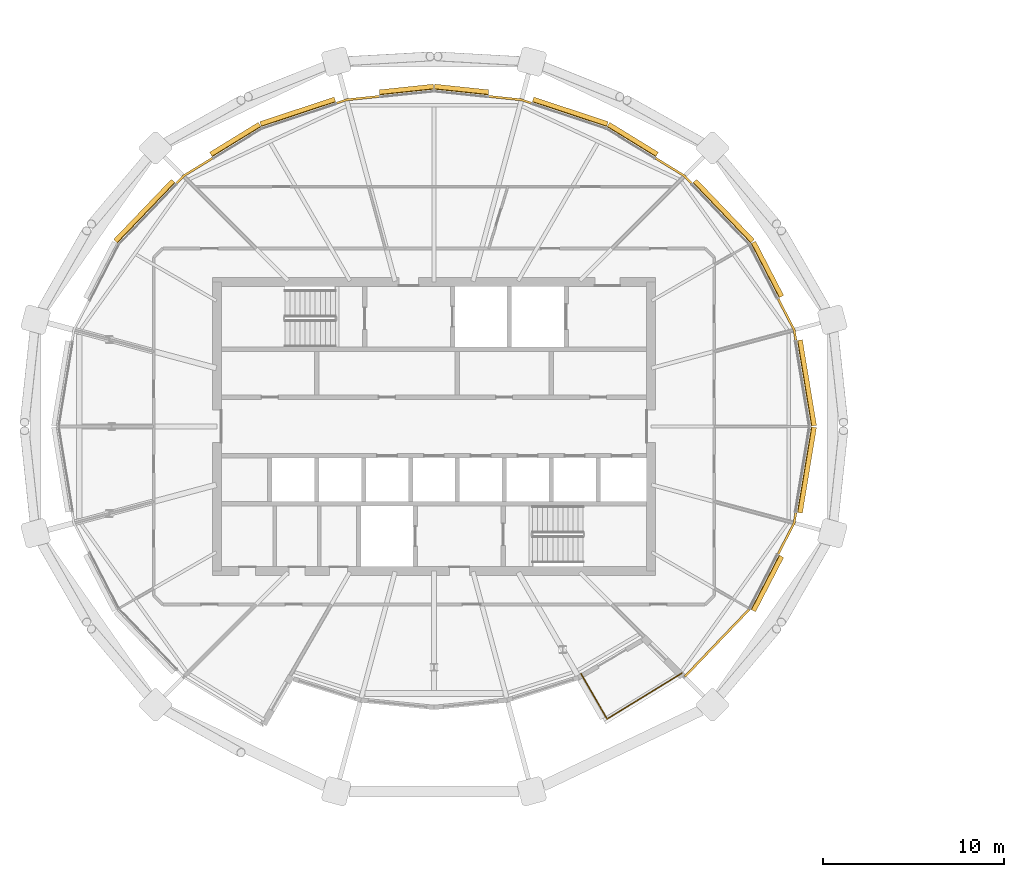
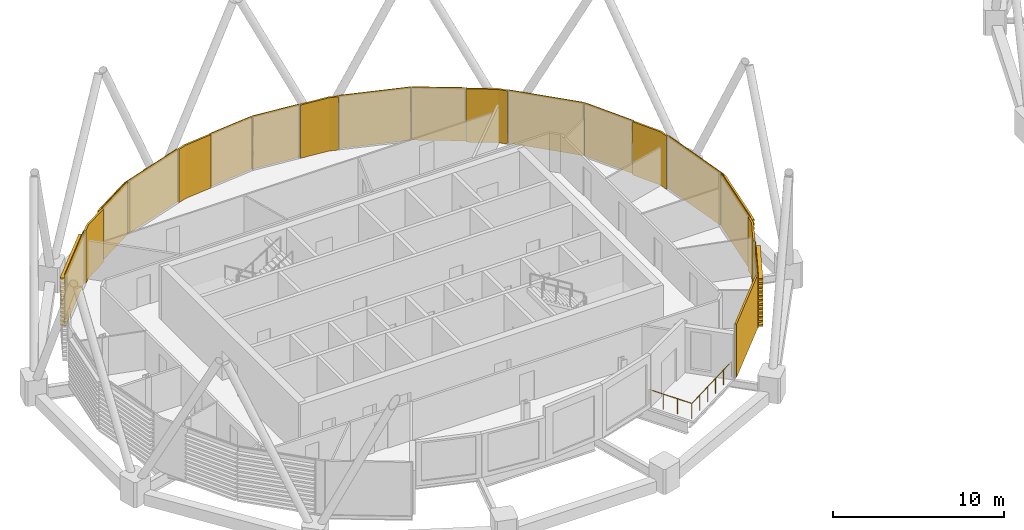
# One storey, part 30 of 34: 19 coverings, 1 railing.
"""IFC4 building model written with IfcOpenShell, lengths in metres."""

from ifc_helpers import new_model, si_unit, direction, frame, origin, origin_2d, place, context, subcontext, project, spatial, polyline, circle, outline, extrude, material, layer, layer_set, material_profile, profile_set, type_object, element, save


model = new_model("IFC4")

# Units and contexts
model_context = context("Model", 3, precision=1e-05, world=origin(), true_north=direction((0.0, 1.0)))
body_context = subcontext(model_context, "Body", "Model", "MODEL_VIEW")
ifc_project = project(units=[si_unit("LENGTHUNIT", "METRE"), si_unit("AREAUNIT", "SQUARE_METRE"), si_unit("VOLUMEUNIT", "CUBIC_METRE"), si_unit("PLANEANGLEUNIT", "RADIAN"), si_unit("MASSUNIT", "GRAM", prefix="KILO")], contexts=[model_context])

# Site, building, storey
site_placement = place(None, origin())
site = spatial("IfcSite", under=ifc_project, at=site_placement, CompositionType="ELEMENT")
building_placement = place(site_placement, origin())
building = spatial("IfcBuilding", under=site, at=building_placement, Name="Rimbun Link Towers", CompositionType="ELEMENT")
storey_placement = place(building_placement, frame((0.0, 0.0, 221.89990234375)))
storey = spatial("IfcBuildingStorey", under=building, at=storey_placement, Name="L54", CompositionType="ELEMENT", Elevation=221.89990234375)

# Railing
ifc_material_1 = material(Name="Stainless steel grade 316", Category="steel")
railing_type = type_object("IfcRailingType", Name="GUARD stainless rail and posts", PredefinedType="GUARDRAIL", material=ifc_material_1)
railing_placement = place(storey_placement, frame((-23.62255859375, -13.677001953125, 0.0)))
element("IfcRailing", 1, at=railing_placement, inside=storey, type_object=railing_type, Name="GUARD", PredefinedType="GUARDRAIL", context=body_context, shape_type="SweptSolid", body=[
    extrude(circle(Radius=0.02392578125, at=origin_2d()), frame((0.0, 0.0, 1.076171875), z_axis=(0.499985288567, -0.866033897268, 0.0), x_axis=(0.866033897268, 0.499985288567, 0.0)), (0.0, 0.0, 1.0), 2.89453125),
    extrude(circle(Radius=0.02392578125, at=origin_2d()), frame((1.447265625, -2.5068359375, 1.076171875), z_axis=(0.852188147699, 0.523235473684, 0.0), x_axis=(-0.523235473684, 0.852188147699, 0.0)), (0.0, 0.0, 1.0), 4.85302734375),
    extrude(circle(Radius=0.02099609375, at=origin_2d()), origin(), (0.0, 0.0, 1.0), 1.052001953125),
    extrude(circle(Radius=0.02099609375, at=origin_2d()), frame((0.482421875, -0.835693359375, 0.0)), (0.0, 0.0, 1.0), 1.052001953125),
    extrude(circle(Radius=0.02099609375, at=origin_2d()), frame((0.96484375, -1.671142578125, 0.0)), (0.0, 0.0, 1.0), 1.052001953125),
    extrude(circle(Radius=0.02099609375, at=origin_2d()), frame((1.447265625, -2.5068359375, 0.0)), (0.0, 0.0, 1.0), 1.052001953125),
    extrude(circle(Radius=0.02099609375, at=origin_2d()), frame((2.2744140625, -1.9990234375, 0.0)), (0.0, 0.0, 1.0), 1.052001953125),
    extrude(circle(Radius=0.02099609375, at=origin_2d()), frame((3.1015625, -1.4912109375, 0.0)), (0.0, 0.0, 1.0), 1.052001953125),
    extrude(circle(Radius=0.02099609375, at=origin_2d()), frame((3.9287109375, -0.983154296875, 0.0)), (0.0, 0.0, 1.0), 1.052001953125),
    extrude(circle(Radius=0.02099609375, at=origin_2d()), frame((4.755859375, -0.475341796875, 0.0)), (0.0, 0.0, 1.0), 1.052001953125),
    extrude(circle(Radius=0.02099609375, at=origin_2d()), frame((5.5830078125, 0.032470703125, 0.0)), (0.0, 0.0, 1.0), 1.052001953125),
])

# Coverings
ifc_material_2 = material(Name="Terracotta", Category="masonry")
ifc_layer = layer(ifc_material_2, 0.1201171875)
ifc_layer_set = layer_set([ifc_layer], Name="LINK PIER terracotta cladding 120")
covering_type_1 = type_object("IfcCoveringType", Name="LINK PIER terracotta cladding 120", PredefinedType="CLADDING", material=ifc_layer_set)
covering_1_placement = place(storey_placement, origin())
element("IfcCovering", 2, at=covering_1_placement, inside=storey, type_object=covering_type_1, Name="LINK PIER cladding", PredefinedType="CLADDING", context=body_context, shape_type="SweptSolid", body=[
    extrude(outline(polyline([(-12.76513671875, 7.028564453125), (-11.8828125, 5.323486328125), (-11.790283203125, 4.760986328125), (-11.671875, 4.780517578125), (-11.767333984375, 5.361572265625), (-12.658447265625, 7.083740234375), (-12.76513671875, 7.028564453125)])), origin(), (0.0, 0.0, 1.0), 3.800048828125),
])
covering_2_placement = place(storey_placement, origin())
element("IfcCovering", 3, at=covering_2_placement, inside=storey, type_object=covering_type_1, Name="LINK PIER cladding", PredefinedType="CLADDING", context=body_context, shape_type="SweptSolid", body=[
    extrude(outline(polyline([(-19.528564453125, 14.79345703125), (-17.93505859375, 13.81494140625), (-17.54052734375, 13.403564453125), (-17.453857421875, 13.486572265625), (-17.859130859375, 13.9091796875), (-19.4658203125, 14.895751953125), (-19.528564453125, 14.79345703125)])), origin(), (0.0, 0.0, 1.0), 3.800048828125),
])
covering_3_placement = place(storey_placement, origin())
element("IfcCovering", 4, at=covering_3_placement, inside=storey, type_object=covering_type_1, Name="LINK PIER cladding", PredefinedType="CLADDING", context=body_context, shape_type="SweptSolid", body=[
    extrude(outline(polyline([(-28.733642578125, 18.20263671875), (-26.923583984375, 18.011962890625), (-26.382568359375, 17.832763671875), (-26.344970703125, 17.946533203125), (-26.898193359375, 18.1298828125), (-28.72119140625, 18.322021484375), (-28.733642578125, 18.20263671875)])), origin(), (0.0, 0.0, 1.0), 3.800048828125),
])
covering_4_placement = place(storey_placement, origin())
element("IfcCovering", 5, at=covering_4_placement, inside=storey, type_object=covering_type_1, Name="LINK PIER cladding", PredefinedType="CLADDING", context=body_context, shape_type="SweptSolid", body=[
    extrude(outline(polyline([(-37.117431640625, 17.832763671875), (-36.576416015625, 18.011962890625), (-34.766357421875, 18.20263671875), (-34.77880859375, 18.322021484375), (-36.601806640625, 18.1298828125), (-37.155029296875, 17.946533203125), (-37.117431640625, 17.832763671875)])), origin(), (0.0, 0.0, 1.0), 3.800048828125),
])
covering_5_placement = place(storey_placement, origin())
element("IfcCovering", 6, at=covering_5_placement, inside=storey, type_object=covering_type_1, Name="LINK PIER cladding", PredefinedType="CLADDING", context=body_context, shape_type="SweptSolid", body=[
    extrude(outline(polyline([(-45.95947265625, 13.403564453125), (-45.56494140625, 13.81494140625), (-43.971435546875, 14.79345703125), (-44.0341796875, 14.895751953125), (-45.640869140625, 13.9091796875), (-46.046142578125, 13.486572265625), (-45.95947265625, 13.403564453125)])), origin(), (0.0, 0.0, 1.0), 3.800048828125),
])
covering_6_placement = place(storey_placement, origin())
element("IfcCovering", 7, at=covering_6_placement, inside=storey, type_object=covering_type_1, Name="LINK PIER cladding", PredefinedType="CLADDING", context=body_context, shape_type="SweptSolid", body=[
    extrude(outline(polyline([(-14.3525390625, -10.078125), (-17.914306640625, -13.79345703125), (-17.82763671875, -13.87646484375), (-14.265869140625, -10.1611328125), (-14.3525390625, -10.078125)])), origin(), (0.0, 0.0, 1.0), 3.800048828125),
])
covering_7_placement = place(storey_placement, origin())
element("IfcCovering", 8, at=covering_7_placement, inside=storey, type_object=covering_type_1, Name="LINK PIER cladding", PredefinedType="CLADDING", context=body_context, shape_type="SweptSolid", body=[
    extrude(outline(polyline([(-11.790283203125, -4.760986328125), (-11.8828125, -5.323486328125), (-12.76513671875, -7.028564453125), (-12.658447265625, -7.083740234375), (-11.767333984375, -5.361572265625), (-11.671875, -4.780517578125), (-11.790283203125, -4.760986328125)])), origin(), (0.0, 0.0, 1.0), 3.800048828125),
])
ifc_material_3 = material(Name="Terracotta", Category="masonry")
ifc_material_profile = material_profile(ifc_material_3, outline(polyline([(0.123046875, 0.0), (0.1630859375, 0.0), (0.1630859375, 0.10009765625), (0.423095703125, 0.10009765625), (0.423095703125, 0.219970703125), (0.1630859375, 0.219970703125), (0.1630859375, 0.39990234375), (0.423095703125, 0.39990234375), (0.423095703125, 0.52001953125), (0.1630859375, 0.52001953125), (0.1630859375, 0.699951171875), (0.423095703125, 0.699951171875), (0.423095703125, 0.820068359375), (0.1630859375, 0.820068359375), (0.1630859375, 1.0), (0.423095703125, 1.0), (0.423095703125, 1.1201171875), (0.1630859375, 1.1201171875), (0.1630859375, 1.300048828125), (0.423095703125, 1.300048828125), (0.423095703125, 1.419921875), (0.1630859375, 1.419921875), (0.1630859375, 1.60009765625), (0.423095703125, 1.60009765625), (0.423095703125, 1.719970703125), (0.1630859375, 1.719970703125), (0.1630859375, 1.89990234375), (0.423095703125, 1.89990234375), (0.423095703125, 2.02001953125), (0.1630859375, 2.02001953125), (0.1630859375, 2.199951171875), (0.423095703125, 2.199951171875), (0.423095703125, 2.320068359375), (0.1630859375, 2.320068359375), (0.1630859375, 2.5), (0.423095703125, 2.5), (0.423095703125, 2.6201171875), (0.1630859375, 2.6201171875), (0.1630859375, 2.800048828125), (0.423095703125, 2.800048828125), (0.423095703125, 2.919921875), (0.1630859375, 2.919921875), (0.1630859375, 3.10009765625), (0.423095703125, 3.10009765625), (0.423095703125, 3.219970703125), (0.1630859375, 3.219970703125), (0.1630859375, 3.39990234375), (0.423095703125, 3.39990234375), (0.423095703125, 3.52001953125), (0.1630859375, 3.52001953125), (0.1630859375, 3.800048828125), (0.123046875, 3.800048828125), (0.123046875, 0.0)])), Name="BAGUETTE 120X300")
ifc_profile_set = profile_set([ifc_material_profile], Name="Terracotta")
covering_type_2 = type_object("IfcCoveringType", Name="TERRACOTTA BAGUETTE 120X300 H3800", PredefinedType="CLADDING", material=ifc_profile_set)
covering_8_placement = place(storey_placement, frame((-11.785400390625, 4.7314453125, 0.0), z_axis=(0.162268400296, -0.98674665759, 0.0), x_axis=(0.98674665759, 0.162268400296, 0.0)))
element("IfcCovering", 9, at=covering_8_placement, inside=storey, type_object=covering_type_2, Name="TERRACOTTA BAGUETTE", PredefinedType="CLADDING", context=body_context, shape_type="SweptSolid", body=[
    extrude(outline(polyline([(0.123046875, 0.0), (0.1630859375, 0.0), (0.1630859375, 0.10009765625), (0.423095703125, 0.10009765625), (0.423095703125, 0.219970703125), (0.1630859375, 0.219970703125), (0.1630859375, 0.39990234375), (0.423095703125, 0.39990234375), (0.423095703125, 0.52001953125), (0.1630859375, 0.52001953125), (0.1630859375, 0.699951171875), (0.423095703125, 0.699951171875), (0.423095703125, 0.820068359375), (0.1630859375, 0.820068359375), (0.1630859375, 1.0), (0.423095703125, 1.0), (0.423095703125, 1.1201171875), (0.1630859375, 1.1201171875), (0.1630859375, 1.300048828125), (0.423095703125, 1.300048828125), (0.423095703125, 1.419921875), (0.1630859375, 1.419921875), (0.1630859375, 1.60009765625), (0.423095703125, 1.60009765625), (0.423095703125, 1.719970703125), (0.1630859375, 1.719970703125), (0.1630859375, 1.89990234375), (0.423095703125, 1.89990234375), (0.423095703125, 2.02001953125), (0.1630859375, 2.02001953125), (0.1630859375, 2.199951171875), (0.423095703125, 2.199951171875), (0.423095703125, 2.320068359375), (0.1630859375, 2.320068359375), (0.1630859375, 2.5), (0.423095703125, 2.5), (0.423095703125, 2.6201171875), (0.1630859375, 2.6201171875), (0.1630859375, 2.800048828125), (0.423095703125, 2.800048828125), (0.423095703125, 2.919921875), (0.1630859375, 2.919921875), (0.1630859375, 3.10009765625), (0.423095703125, 3.10009765625), (0.423095703125, 3.219970703125), (0.1630859375, 3.219970703125), (0.1630859375, 3.39990234375), (0.423095703125, 3.39990234375), (0.423095703125, 3.52001953125), (0.1630859375, 3.52001953125), (0.1630859375, 3.800048828125), (0.123046875, 3.800048828125), (0.123046875, 0.0)])), origin(), (0.0, 0.0, 1.0), 4.794921875),
])
covering_9_placement = place(storey_placement, frame((-14.331787109375, 10.056396484375, 0.0), z_axis=(0.459597847654, -0.888127140916, 0.0), x_axis=(0.888127140916, 0.459597847654, 0.0)))
element("IfcCovering", 10, at=covering_9_placement, inside=storey, type_object=covering_type_2, Name="TERRACOTTA BAGUETTE", PredefinedType="CLADDING", context=body_context, shape_type="SweptSolid", body=[
    extrude(outline(polyline([(0.123046875, 0.0), (0.1630859375, 0.0), (0.1630859375, 0.10009765625), (0.423095703125, 0.10009765625), (0.423095703125, 0.219970703125), (0.1630859375, 0.219970703125), (0.1630859375, 0.39990234375), (0.423095703125, 0.39990234375), (0.423095703125, 0.52001953125), (0.1630859375, 0.52001953125), (0.1630859375, 0.699951171875), (0.423095703125, 0.699951171875), (0.423095703125, 0.820068359375), (0.1630859375, 0.820068359375), (0.1630859375, 1.0), (0.423095703125, 1.0), (0.423095703125, 1.1201171875), (0.1630859375, 1.1201171875), (0.1630859375, 1.300048828125), (0.423095703125, 1.300048828125), (0.423095703125, 1.419921875), (0.1630859375, 1.419921875), (0.1630859375, 1.60009765625), (0.423095703125, 1.60009765625), (0.423095703125, 1.719970703125), (0.1630859375, 1.719970703125), (0.1630859375, 1.89990234375), (0.423095703125, 1.89990234375), (0.423095703125, 2.02001953125), (0.1630859375, 2.02001953125), (0.1630859375, 2.199951171875), (0.423095703125, 2.199951171875), (0.423095703125, 2.320068359375), (0.1630859375, 2.320068359375), (0.1630859375, 2.5), (0.423095703125, 2.5), (0.423095703125, 2.6201171875), (0.1630859375, 2.6201171875), (0.1630859375, 2.800048828125), (0.423095703125, 2.800048828125), (0.423095703125, 2.919921875), (0.1630859375, 2.919921875), (0.1630859375, 3.10009765625), (0.423095703125, 3.10009765625), (0.423095703125, 3.219970703125), (0.1630859375, 3.219970703125), (0.1630859375, 3.39990234375), (0.423095703125, 3.39990234375), (0.423095703125, 3.52001953125), (0.1630859375, 3.52001953125), (0.1630859375, 3.800048828125), (0.123046875, 3.800048828125), (0.123046875, 0.0)])), origin(), (0.0, 0.0, 1.0), 3.37890625),
])
covering_10_placement = place(storey_placement, frame((-17.519775390625, 13.3818359375, 0.0), z_axis=(0.692030818263, -0.721867956468, 0.0), x_axis=(0.721867956468, 0.692030818263, 0.0)))
element("IfcCovering", 11, at=covering_10_placement, inside=storey, type_object=covering_type_2, Name="TERRACOTTA BAGUETTE", PredefinedType="CLADDING", context=body_context, shape_type="SweptSolid", body=[
    extrude(outline(polyline([(0.123046875, 0.0), (0.1630859375, 0.0), (0.1630859375, 0.10009765625), (0.423095703125, 0.10009765625), (0.423095703125, 0.219970703125), (0.1630859375, 0.219970703125), (0.1630859375, 0.39990234375), (0.423095703125, 0.39990234375), (0.423095703125, 0.52001953125), (0.1630859375, 0.52001953125), (0.1630859375, 0.699951171875), (0.423095703125, 0.699951171875), (0.423095703125, 0.820068359375), (0.1630859375, 0.820068359375), (0.1630859375, 1.0), (0.423095703125, 1.0), (0.423095703125, 1.1201171875), (0.1630859375, 1.1201171875), (0.1630859375, 1.300048828125), (0.423095703125, 1.300048828125), (0.423095703125, 1.419921875), (0.1630859375, 1.419921875), (0.1630859375, 1.60009765625), (0.423095703125, 1.60009765625), (0.423095703125, 1.719970703125), (0.1630859375, 1.719970703125), (0.1630859375, 1.89990234375), (0.423095703125, 1.89990234375), (0.423095703125, 2.02001953125), (0.1630859375, 2.02001953125), (0.1630859375, 2.199951171875), (0.423095703125, 2.199951171875), (0.423095703125, 2.320068359375), (0.1630859375, 2.320068359375), (0.1630859375, 2.5), (0.423095703125, 2.5), (0.423095703125, 2.6201171875), (0.1630859375, 2.6201171875), (0.1630859375, 2.800048828125), (0.423095703125, 2.800048828125), (0.423095703125, 2.919921875), (0.1630859375, 2.919921875), (0.1630859375, 3.10009765625), (0.423095703125, 3.10009765625), (0.423095703125, 3.219970703125), (0.1630859375, 3.219970703125), (0.1630859375, 3.39990234375), (0.423095703125, 3.39990234375), (0.423095703125, 3.52001953125), (0.1630859375, 3.52001953125), (0.1630859375, 3.800048828125), (0.123046875, 3.800048828125), (0.123046875, 0.0)])), origin(), (0.0, 0.0, 1.0), 4.606689453125),
])
covering_11_placement = place(storey_placement, frame((-22.245849609375, 16.4619140625, 0.0), z_axis=(0.852162155598, -0.52327780439, 0.0), x_axis=(0.52327780439, 0.852162155598, 0.0)))
element("IfcCovering", 12, at=covering_11_placement, inside=storey, type_object=covering_type_2, Name="TERRACOTTA BAGUETTE", PredefinedType="CLADDING", context=body_context, shape_type="SweptSolid", body=[
    extrude(outline(polyline([(0.123046875, 0.0), (0.1630859375, 0.0), (0.1630859375, 0.10009765625), (0.423095703125, 0.10009765625), (0.423095703125, 0.219970703125), (0.1630859375, 0.219970703125), (0.1630859375, 0.39990234375), (0.423095703125, 0.39990234375), (0.423095703125, 0.52001953125), (0.1630859375, 0.52001953125), (0.1630859375, 0.699951171875), (0.423095703125, 0.699951171875), (0.423095703125, 0.820068359375), (0.1630859375, 0.820068359375), (0.1630859375, 1.0), (0.423095703125, 1.0), (0.423095703125, 1.1201171875), (0.1630859375, 1.1201171875), (0.1630859375, 1.300048828125), (0.423095703125, 1.300048828125), (0.423095703125, 1.419921875), (0.1630859375, 1.419921875), (0.1630859375, 1.60009765625), (0.423095703125, 1.60009765625), (0.423095703125, 1.719970703125), (0.1630859375, 1.719970703125), (0.1630859375, 1.89990234375), (0.423095703125, 1.89990234375), (0.423095703125, 2.02001953125), (0.1630859375, 2.02001953125), (0.1630859375, 2.199951171875), (0.423095703125, 2.199951171875), (0.423095703125, 2.320068359375), (0.1630859375, 2.320068359375), (0.1630859375, 2.5), (0.423095703125, 2.5), (0.423095703125, 2.6201171875), (0.1630859375, 2.6201171875), (0.1630859375, 2.800048828125), (0.423095703125, 2.800048828125), (0.423095703125, 2.919921875), (0.1630859375, 2.919921875), (0.1630859375, 3.10009765625), (0.423095703125, 3.10009765625), (0.423095703125, 3.219970703125), (0.1630859375, 3.219970703125), (0.1630859375, 3.39990234375), (0.423095703125, 3.39990234375), (0.423095703125, 3.52001953125), (0.1630859375, 3.52001953125), (0.1630859375, 3.800048828125), (0.123046875, 3.800048828125), (0.123046875, 0.0)])), origin(), (0.0, 0.0, 1.0), 3.15869140625),
])
covering_12_placement = place(storey_placement, frame((-26.354248046875, 17.8232421875, 0.0), z_axis=(0.949245875883, -0.314535001422, 0.0), x_axis=(0.314535001422, 0.949245875883, 0.0)))
element("IfcCovering", 13, at=covering_12_placement, inside=storey, type_object=covering_type_2, Name="TERRACOTTA BAGUETTE", PredefinedType="CLADDING", context=body_context, shape_type="SweptSolid", body=[
    extrude(outline(polyline([(0.123046875, 0.0), (0.1630859375, 0.0), (0.1630859375, 0.10009765625), (0.423095703125, 0.10009765625), (0.423095703125, 0.219970703125), (0.1630859375, 0.219970703125), (0.1630859375, 0.39990234375), (0.423095703125, 0.39990234375), (0.423095703125, 0.52001953125), (0.1630859375, 0.52001953125), (0.1630859375, 0.699951171875), (0.423095703125, 0.699951171875), (0.423095703125, 0.820068359375), (0.1630859375, 0.820068359375), (0.1630859375, 1.0), (0.423095703125, 1.0), (0.423095703125, 1.1201171875), (0.1630859375, 1.1201171875), (0.1630859375, 1.300048828125), (0.423095703125, 1.300048828125), (0.423095703125, 1.419921875), (0.1630859375, 1.419921875), (0.1630859375, 1.60009765625), (0.423095703125, 1.60009765625), (0.423095703125, 1.719970703125), (0.1630859375, 1.719970703125), (0.1630859375, 1.89990234375), (0.423095703125, 1.89990234375), (0.423095703125, 2.02001953125), (0.1630859375, 2.02001953125), (0.1630859375, 2.199951171875), (0.423095703125, 2.199951171875), (0.423095703125, 2.320068359375), (0.1630859375, 2.320068359375), (0.1630859375, 2.5), (0.423095703125, 2.5), (0.423095703125, 2.6201171875), (0.1630859375, 2.6201171875), (0.1630859375, 2.800048828125), (0.423095703125, 2.800048828125), (0.423095703125, 2.919921875), (0.1630859375, 2.919921875), (0.1630859375, 3.10009765625), (0.423095703125, 3.10009765625), (0.423095703125, 3.219970703125), (0.1630859375, 3.219970703125), (0.1630859375, 3.39990234375), (0.423095703125, 3.39990234375), (0.423095703125, 3.52001953125), (0.1630859375, 3.52001953125), (0.1630859375, 3.800048828125), (0.123046875, 3.800048828125), (0.123046875, 0.0)])), origin(), (0.0, 0.0, 1.0), 4.328125),
])
for number, where, z_axis, x_axis, name in (
    (14, (-31.75, 18.520263671875, 0.0), (0.994502779828, -0.104710175788, 0.0), (0.104710175788, 0.994502779828, 0.0), "TERRACOTTA BAGUETTE"),
    (15, (-34.736572265625, 18.205810546875, 0.0), (0.994502779828, 0.104710175788, 0.0), (-0.104710175788, 0.994502779828, 0.0), "TERRACOTTA BAGUETTE"),
):
    element("IfcCovering", number, at=place(storey_placement, frame(where, z_axis=z_axis, x_axis=x_axis)), inside=storey, type_object=covering_type_2, Name=name, PredefinedType="CLADDING", context=body_context, shape_type="SweptSolid", body=[
        extrude(outline(polyline([(0.123046875, 0.0), (0.1630859375, 0.0), (0.1630859375, 0.10009765625), (0.423095703125, 0.10009765625), (0.423095703125, 0.219970703125), (0.1630859375, 0.219970703125), (0.1630859375, 0.39990234375), (0.423095703125, 0.39990234375), (0.423095703125, 0.52001953125), (0.1630859375, 0.52001953125), (0.1630859375, 0.699951171875), (0.423095703125, 0.699951171875), (0.423095703125, 0.820068359375), (0.1630859375, 0.820068359375), (0.1630859375, 1.0), (0.423095703125, 1.0), (0.423095703125, 1.1201171875), (0.1630859375, 1.1201171875), (0.1630859375, 1.300048828125), (0.423095703125, 1.300048828125), (0.423095703125, 1.419921875), (0.1630859375, 1.419921875), (0.1630859375, 1.60009765625), (0.423095703125, 1.60009765625), (0.423095703125, 1.719970703125), (0.1630859375, 1.719970703125), (0.1630859375, 1.89990234375), (0.423095703125, 1.89990234375), (0.423095703125, 2.02001953125), (0.1630859375, 2.02001953125), (0.1630859375, 2.199951171875), (0.423095703125, 2.199951171875), (0.423095703125, 2.320068359375), (0.1630859375, 2.320068359375), (0.1630859375, 2.5), (0.423095703125, 2.5), (0.423095703125, 2.6201171875), (0.1630859375, 2.6201171875), (0.1630859375, 2.800048828125), (0.423095703125, 2.800048828125), (0.423095703125, 2.919921875), (0.1630859375, 2.919921875), (0.1630859375, 3.10009765625), (0.423095703125, 3.10009765625), (0.423095703125, 3.219970703125), (0.1630859375, 3.219970703125), (0.1630859375, 3.39990234375), (0.423095703125, 3.39990234375), (0.423095703125, 3.52001953125), (0.1630859375, 3.52001953125), (0.1630859375, 3.800048828125), (0.123046875, 3.800048828125), (0.123046875, 0.0)])), origin(), (0.0, 0.0, 1.0), 3.003173828125),
    ])
covering_13_placement = place(storey_placement, frame((-41.254150390625, 16.4619140625, 0.0), z_axis=(0.949245875883, 0.314535001422, 0.0), x_axis=(-0.314535001422, 0.949245875883, 0.0)))
element("IfcCovering", 16, at=covering_13_placement, inside=storey, type_object=covering_type_2, Name="TERRACOTTA BAGUETTE", PredefinedType="CLADDING", context=body_context, shape_type="SweptSolid", body=[
    extrude(outline(polyline([(0.123046875, 0.0), (0.1630859375, 0.0), (0.1630859375, 0.10009765625), (0.423095703125, 0.10009765625), (0.423095703125, 0.219970703125), (0.1630859375, 0.219970703125), (0.1630859375, 0.39990234375), (0.423095703125, 0.39990234375), (0.423095703125, 0.52001953125), (0.1630859375, 0.52001953125), (0.1630859375, 0.699951171875), (0.423095703125, 0.699951171875), (0.423095703125, 0.820068359375), (0.1630859375, 0.820068359375), (0.1630859375, 1.0), (0.423095703125, 1.0), (0.423095703125, 1.1201171875), (0.1630859375, 1.1201171875), (0.1630859375, 1.300048828125), (0.423095703125, 1.300048828125), (0.423095703125, 1.419921875), (0.1630859375, 1.419921875), (0.1630859375, 1.60009765625), (0.423095703125, 1.60009765625), (0.423095703125, 1.719970703125), (0.1630859375, 1.719970703125), (0.1630859375, 1.89990234375), (0.423095703125, 1.89990234375), (0.423095703125, 2.02001953125), (0.1630859375, 2.02001953125), (0.1630859375, 2.199951171875), (0.423095703125, 2.199951171875), (0.423095703125, 2.320068359375), (0.1630859375, 2.320068359375), (0.1630859375, 2.5), (0.423095703125, 2.5), (0.423095703125, 2.6201171875), (0.1630859375, 2.6201171875), (0.1630859375, 2.800048828125), (0.423095703125, 2.800048828125), (0.423095703125, 2.919921875), (0.1630859375, 2.919921875), (0.1630859375, 3.10009765625), (0.423095703125, 3.10009765625), (0.423095703125, 3.219970703125), (0.1630859375, 3.219970703125), (0.1630859375, 3.39990234375), (0.423095703125, 3.39990234375), (0.423095703125, 3.52001953125), (0.1630859375, 3.52001953125), (0.1630859375, 3.800048828125), (0.123046875, 3.800048828125), (0.123046875, 0.0)])), origin(), (0.0, 0.0, 1.0), 4.328125),
])
covering_14_placement = place(storey_placement, frame((-43.94580078125, 14.80908203125, 0.0), z_axis=(0.852162155598, 0.52327780439, 0.0), x_axis=(-0.52327780439, 0.852162155598, 0.0)))
element("IfcCovering", 17, at=covering_14_placement, inside=storey, type_object=covering_type_2, Name="TERRACOTTA BAGUETTE", PredefinedType="CLADDING", context=body_context, shape_type="SweptSolid", body=[
    extrude(outline(polyline([(0.123046875, 0.0), (0.1630859375, 0.0), (0.1630859375, 0.10009765625), (0.423095703125, 0.10009765625), (0.423095703125, 0.219970703125), (0.1630859375, 0.219970703125), (0.1630859375, 0.39990234375), (0.423095703125, 0.39990234375), (0.423095703125, 0.52001953125), (0.1630859375, 0.52001953125), (0.1630859375, 0.699951171875), (0.423095703125, 0.699951171875), (0.423095703125, 0.820068359375), (0.1630859375, 0.820068359375), (0.1630859375, 1.0), (0.423095703125, 1.0), (0.423095703125, 1.1201171875), (0.1630859375, 1.1201171875), (0.1630859375, 1.300048828125), (0.423095703125, 1.300048828125), (0.423095703125, 1.419921875), (0.1630859375, 1.419921875), (0.1630859375, 1.60009765625), (0.423095703125, 1.60009765625), (0.423095703125, 1.719970703125), (0.1630859375, 1.719970703125), (0.1630859375, 1.89990234375), (0.423095703125, 1.89990234375), (0.423095703125, 2.02001953125), (0.1630859375, 2.02001953125), (0.1630859375, 2.199951171875), (0.423095703125, 2.199951171875), (0.423095703125, 2.320068359375), (0.1630859375, 2.320068359375), (0.1630859375, 2.5), (0.423095703125, 2.5), (0.423095703125, 2.6201171875), (0.1630859375, 2.6201171875), (0.1630859375, 2.800048828125), (0.423095703125, 2.800048828125), (0.423095703125, 2.919921875), (0.1630859375, 2.919921875), (0.1630859375, 3.10009765625), (0.423095703125, 3.10009765625), (0.423095703125, 3.219970703125), (0.1630859375, 3.219970703125), (0.1630859375, 3.39990234375), (0.423095703125, 3.39990234375), (0.423095703125, 3.52001953125), (0.1630859375, 3.52001953125), (0.1630859375, 3.800048828125), (0.123046875, 3.800048828125), (0.123046875, 0.0)])), origin(), (0.0, 0.0, 1.0), 3.15869140625),
])
covering_15_placement = place(storey_placement, frame((-49.168212890625, 10.056396484375, 0.0), z_axis=(0.692030818263, 0.721867956468, 0.0), x_axis=(-0.721867956468, 0.692030818263, 0.0)))
element("IfcCovering", 18, at=covering_15_placement, inside=storey, type_object=covering_type_2, Name="TERRACOTTA BAGUETTE", PredefinedType="CLADDING", context=body_context, shape_type="SweptSolid", body=[
    extrude(outline(polyline([(0.123046875, 0.0), (0.1630859375, 0.0), (0.1630859375, 0.10009765625), (0.423095703125, 0.10009765625), (0.423095703125, 0.219970703125), (0.1630859375, 0.219970703125), (0.1630859375, 0.39990234375), (0.423095703125, 0.39990234375), (0.423095703125, 0.52001953125), (0.1630859375, 0.52001953125), (0.1630859375, 0.699951171875), (0.423095703125, 0.699951171875), (0.423095703125, 0.820068359375), (0.1630859375, 0.820068359375), (0.1630859375, 1.0), (0.423095703125, 1.0), (0.423095703125, 1.1201171875), (0.1630859375, 1.1201171875), (0.1630859375, 1.300048828125), (0.423095703125, 1.300048828125), (0.423095703125, 1.419921875), (0.1630859375, 1.419921875), (0.1630859375, 1.60009765625), (0.423095703125, 1.60009765625), (0.423095703125, 1.719970703125), (0.1630859375, 1.719970703125), (0.1630859375, 1.89990234375), (0.423095703125, 1.89990234375), (0.423095703125, 2.02001953125), (0.1630859375, 2.02001953125), (0.1630859375, 2.199951171875), (0.423095703125, 2.199951171875), (0.423095703125, 2.320068359375), (0.1630859375, 2.320068359375), (0.1630859375, 2.5), (0.423095703125, 2.5), (0.423095703125, 2.6201171875), (0.1630859375, 2.6201171875), (0.1630859375, 2.800048828125), (0.423095703125, 2.800048828125), (0.423095703125, 2.919921875), (0.1630859375, 2.919921875), (0.1630859375, 3.10009765625), (0.423095703125, 3.10009765625), (0.423095703125, 3.219970703125), (0.1630859375, 3.219970703125), (0.1630859375, 3.39990234375), (0.423095703125, 3.39990234375), (0.423095703125, 3.52001953125), (0.1630859375, 3.52001953125), (0.1630859375, 3.800048828125), (0.123046875, 3.800048828125), (0.123046875, 0.0)])), origin(), (0.0, 0.0, 1.0), 4.606689453125),
])
covering_16_placement = place(storey_placement, frame((-12.77880859375, -7.055419921875, 0.0), z_axis=(-0.459597847654, -0.888127140916, 0.0), x_axis=(0.888127140916, -0.459597847654, 0.0)))
element("IfcCovering", 19, at=covering_16_placement, inside=storey, type_object=covering_type_2, Name="TERRACOTTA BAGUETTE", PredefinedType="CLADDING", context=body_context, shape_type="SweptSolid", body=[
    extrude(outline(polyline([(0.123046875, 0.0), (0.1630859375, 0.0), (0.1630859375, 0.10009765625), (0.423095703125, 0.10009765625), (0.423095703125, 0.219970703125), (0.1630859375, 0.219970703125), (0.1630859375, 0.39990234375), (0.423095703125, 0.39990234375), (0.423095703125, 0.52001953125), (0.1630859375, 0.52001953125), (0.1630859375, 0.699951171875), (0.423095703125, 0.699951171875), (0.423095703125, 0.820068359375), (0.1630859375, 0.820068359375), (0.1630859375, 1.0), (0.423095703125, 1.0), (0.423095703125, 1.1201171875), (0.1630859375, 1.1201171875), (0.1630859375, 1.300048828125), (0.423095703125, 1.300048828125), (0.423095703125, 1.419921875), (0.1630859375, 1.419921875), (0.1630859375, 1.60009765625), (0.423095703125, 1.60009765625), (0.423095703125, 1.719970703125), (0.1630859375, 1.719970703125), (0.1630859375, 1.89990234375), (0.423095703125, 1.89990234375), (0.423095703125, 2.02001953125), (0.1630859375, 2.02001953125), (0.1630859375, 2.199951171875), (0.423095703125, 2.199951171875), (0.423095703125, 2.320068359375), (0.1630859375, 2.320068359375), (0.1630859375, 2.5), (0.423095703125, 2.5), (0.423095703125, 2.6201171875), (0.1630859375, 2.6201171875), (0.1630859375, 2.800048828125), (0.423095703125, 2.800048828125), (0.423095703125, 2.919921875), (0.1630859375, 2.919921875), (0.1630859375, 3.10009765625), (0.423095703125, 3.10009765625), (0.423095703125, 3.219970703125), (0.1630859375, 3.219970703125), (0.1630859375, 3.39990234375), (0.423095703125, 3.39990234375), (0.423095703125, 3.52001953125), (0.1630859375, 3.52001953125), (0.1630859375, 3.800048828125), (0.123046875, 3.800048828125), (0.123046875, 0.0)])), origin(), (0.0, 0.0, 1.0), 3.37890625),
])
covering_17_placement = place(storey_placement, frame((-11.00732421875, 0.0, 0.0), z_axis=(-0.162268400296, -0.98674665759, 0.0), x_axis=(0.98674665759, -0.162268400296, 0.0)))
element("IfcCovering", 20, at=covering_17_placement, inside=storey, type_object=covering_type_2, Name="TERRACOTTA BAGUETTE", PredefinedType="CLADDING", context=body_context, shape_type="SweptSolid", body=[
    extrude(outline(polyline([(0.123046875, 0.0), (0.1630859375, 0.0), (0.1630859375, 0.10009765625), (0.423095703125, 0.10009765625), (0.423095703125, 0.219970703125), (0.1630859375, 0.219970703125), (0.1630859375, 0.39990234375), (0.423095703125, 0.39990234375), (0.423095703125, 0.52001953125), (0.1630859375, 0.52001953125), (0.1630859375, 0.699951171875), (0.423095703125, 0.699951171875), (0.423095703125, 0.820068359375), (0.1630859375, 0.820068359375), (0.1630859375, 1.0), (0.423095703125, 1.0), (0.423095703125, 1.1201171875), (0.1630859375, 1.1201171875), (0.1630859375, 1.300048828125), (0.423095703125, 1.300048828125), (0.423095703125, 1.419921875), (0.1630859375, 1.419921875), (0.1630859375, 1.60009765625), (0.423095703125, 1.60009765625), (0.423095703125, 1.719970703125), (0.1630859375, 1.719970703125), (0.1630859375, 1.89990234375), (0.423095703125, 1.89990234375), (0.423095703125, 2.02001953125), (0.1630859375, 2.02001953125), (0.1630859375, 2.199951171875), (0.423095703125, 2.199951171875), (0.423095703125, 2.320068359375), (0.1630859375, 2.320068359375), (0.1630859375, 2.5), (0.423095703125, 2.5), (0.423095703125, 2.6201171875), (0.1630859375, 2.6201171875), (0.1630859375, 2.800048828125), (0.423095703125, 2.800048828125), (0.423095703125, 2.919921875), (0.1630859375, 2.919921875), (0.1630859375, 3.10009765625), (0.423095703125, 3.10009765625), (0.423095703125, 3.219970703125), (0.1630859375, 3.219970703125), (0.1630859375, 3.39990234375), (0.423095703125, 3.39990234375), (0.423095703125, 3.52001953125), (0.1630859375, 3.52001953125), (0.1630859375, 3.800048828125), (0.123046875, 3.800048828125), (0.123046875, 0.0)])), origin(), (0.0, 0.0, 1.0), 4.794921875),
])

save(model, "model.ifc")
